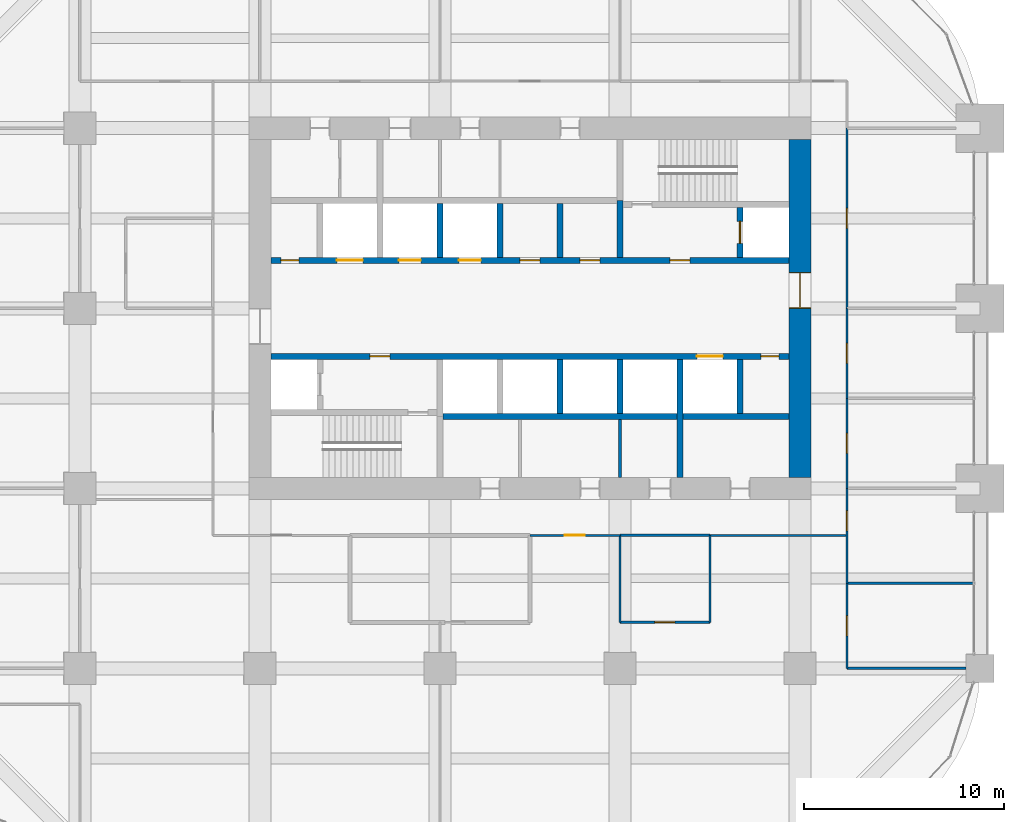
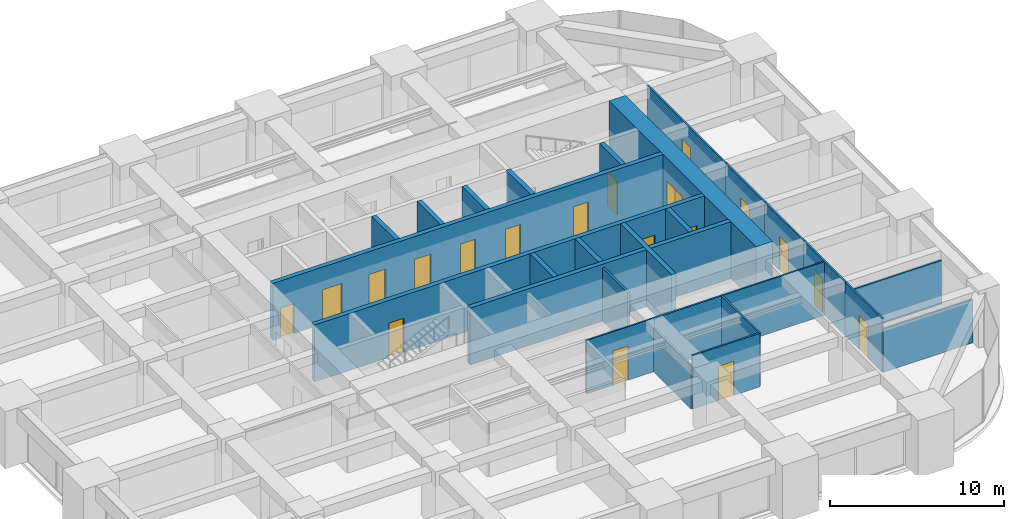
# One storey, part 30 of 32: 27 walls, 19 doors, 19 openings.
"""IFC4 building model written with IfcOpenShell, lengths in metres."""

from ifc_helpers import new_model, si_unit, direction, frame, frame_2d, origin, place, context, subcontext, project, spatial, rectangle, extrude, material, layer, layer_set, type_object, element, fill, save


model = new_model("IFC4")

# Units and contexts
model_context = context("Model", 3, precision=1e-05, world=origin(), true_north=direction((0.0, 1.0)))
body_context = subcontext(model_context, "Body", "Model", "MODEL_VIEW")
ifc_project = project(units=[si_unit("LENGTHUNIT", "METRE"), si_unit("AREAUNIT", "SQUARE_METRE"), si_unit("VOLUMEUNIT", "CUBIC_METRE"), si_unit("PLANEANGLEUNIT", "RADIAN"), si_unit("MASSUNIT", "GRAM", prefix="KILO")], contexts=[model_context])

# Site, building, storey
site_placement = place(None, origin())
site = spatial("IfcSite", under=ifc_project, at=site_placement, CompositionType="ELEMENT")
building_placement = place(site_placement, origin())
building = spatial("IfcBuilding", under=site, at=building_placement, Name="Zorevar Civic Tower", CompositionType="ELEMENT")
storey_placement = place(building_placement, frame((0.0, 0.0, 186.199951171875)))
storey = spatial("IfcBuildingStorey", under=building, at=storey_placement, Name="L45", CompositionType="ELEMENT", Elevation=186.199951171875)

# Wall, opening, door
ifc_material_1 = material(Name="Concrete C50/60", Category="concrete")
ifc_layer_1 = layer(ifc_material_1, 1.10009765625)
ifc_layer_set_1 = layer_set([ifc_layer_1], Name="Core wall 1100")
wall_type_1 = type_object("IfcWallType", Name="Core wall 1100", PredefinedType="SHEAR", material=ifc_layer_set_1)
wall_1_placement = place(storey_placement, frame((45.0, 18.550048828125, 0.0), z_axis=(0.0, 0.0, 1.0), x_axis=(0.0, 1.0, 0.0)))
wall_1 = element("IfcWall", 1, at=wall_1_placement, inside=storey, type_object=wall_type_1, Name="Core wall E L45", PredefinedType="SHEAR", context=body_context, shape_type="SweptSolid", body=[
    extrude(rectangle(XDim=16.89990234375, YDim=1.10009765625, at=frame_2d((8.449951171875, 0.0))), origin(), (0.0, 0.0, 1.0), 4.0),
])
opening_1_placement = place(wall_1_placement, frame((8.449951171875, 0.0, 0.0)))
opening_1 = element("IfcOpeningElement", 2, at=opening_1_placement, cuts=wall_1, Name="Opening L45.02", PredefinedType="OPENING", context=body_context, shape_type="SweptSolid", body=[
    extrude(rectangle(XDim=1.800048828125, YDim=2.39990234375, at=frame_2d((0.89990234375, 1.199951171875))), frame((0.0, 0.56005859375, 0.0), z_axis=(0.0, -1.0, 0.0), x_axis=(1.0, 0.0, 0.0)), (0.0, 0.0, 1.0), 1.1201171875),
])
ifc_material_2 = material(Name="Steel door set", Category="steel")
door_type_1 = type_object("IfcDoorType", Name="Fire door FD2 1800x2400", OperationType="DOUBLE_DOOR_DOUBLE_SWING", PredefinedType="DOOR", material=ifc_material_2)
door_1_placement = place(opening_1_placement, origin())
door_1 = element("IfcDoor", 3, at=door_1_placement, inside=storey, type_object=door_type_1, Name="Door L45 01", OperationType="DOUBLE_DOOR_DOUBLE_SWING", OverallHeight=2.39990234375, OverallWidth=1.800048828125, PredefinedType="DOOR", context=body_context, shape_type="SweptSolid", body=[
    extrude(rectangle(XDim=1.800048828125, YDim=2.39990234375, at=frame_2d((0.89990234375, 1.199951171875))), frame((0.0, 0.030029296875, 0.0), z_axis=(0.0, -1.0, 0.0), x_axis=(1.0, 0.0, 0.0)), (0.0, 0.0, 1.0), 0.06005859375),
    extrude(rectangle(XDim=0.04, YDim=2.39990234375, at=frame_2d((0.02001953125, 1.199951171875))), frame((0.0, 0.5498046875, 0.0), z_axis=(0.0, -1.0, 0.0), x_axis=(1.0, 0.0, 0.0)), (0.0, 0.0, 1.0), 1.099609375),
    extrude(rectangle(XDim=0.04, YDim=2.39990234375, at=frame_2d((1.780029296875, 1.199951171875))), frame((0.0, 0.5498046875, 0.0), z_axis=(0.0, -1.0, 0.0), x_axis=(1.0, 0.0, 0.0)), (0.0, 0.0, 1.0), 1.099609375),
    extrude(rectangle(XDim=1.800048828125, YDim=0.04, at=frame_2d((0.89990234375, 2.3798828125))), frame((0.0, 0.5498046875, 0.0), z_axis=(0.0, -1.0, 0.0), x_axis=(1.0, 0.0, 0.0)), (0.0, 0.0, 1.0), 1.099609375),
])
fill(opening_1, door_1)

ifc_material_3 = material(Name="Laminated glass in black aluminium frame", Category="aluminium")
ifc_layer_2 = layer(ifc_material_3, 0.10009765625)
ifc_layer_set_2 = layer_set([ifc_layer_2], Name="Glazed partition 100")
wall_type_2 = type_object("IfcWallType", Name="Glazed partition 100", PredefinedType="PARTITIONING", material=ifc_layer_set_2)
wall_2_placement = place(storey_placement, frame((31.5, 15.64990234375, 0.0), z_axis=(0.0, 0.0, 1.0), x_axis=(1.0, 0.0, 0.0)))
wall_2 = element("IfcWall", 4, at=wall_2_placement, inside=storey, type_object=wall_type_2, Name="Glazed partition 100 L45", PredefinedType="PARTITIONING", context=body_context, shape_type="SweptSolid", body=[
    extrude(rectangle(XDim=4.5, YDim=0.10009765625, at=frame_2d((2.25, 0.0))), origin(), (0.0, 0.0, 1.0), 3.75),
])
opening_2_placement = place(wall_2_placement, frame((1.75, 0.0, 0.0)))
opening_2 = element("IfcOpeningElement", 5, at=opening_2_placement, cuts=wall_2, Name="Opening L45.21", PredefinedType="OPENING", context=body_context, shape_type="SweptSolid", body=[
    extrude(rectangle(XDim=1.0, YDim=2.39990234375, at=frame_2d((0.5, 1.199951171875))), frame((0.0, 0.06005859375, 0.0), z_axis=(0.0, -1.0, 0.0), x_axis=(1.0, 0.0, 0.0)), (0.0, 0.0, 1.0), 0.1201171875),
])
ifc_material_4 = material(Name="Timber door set", Category="wood")
door_type_2 = type_object("IfcDoorType", Name="Glazed door GD1 1000x2400", OperationType="SINGLE_SWING_LEFT", PredefinedType="DOOR", material=ifc_material_4)
door_2_placement = place(opening_2_placement, origin())
door_2 = element("IfcDoor", 6, at=door_2_placement, inside=storey, type_object=door_type_2, Name="Door L45 D1", OperationType="SINGLE_SWING_RIGHT", OverallHeight=2.39990234375, OverallWidth=1.0, PredefinedType="DOOR", context=body_context, shape_type="SweptSolid", body=[
    extrude(rectangle(XDim=1.0, YDim=2.39990234375, at=frame_2d((0.5, 1.199951171875))), frame((0.0, 0.02001953125, 0.0), z_axis=(0.0, -1.0, 0.0), x_axis=(1.0, 0.0, 0.0)), (0.0, 0.0, 1.0), 0.0400390625),
])
fill(opening_2, door_2)

# Wall
wall_3_placement = place(storey_placement, frame((40.5, 15.64990234375, 0.0), z_axis=(0.0, 0.0, 1.0), x_axis=(1.0, 0.0, 0.0)))
element("IfcWall", 7, at=wall_3_placement, inside=storey, type_object=wall_type_2, Name="Glazed partition 100 L45", PredefinedType="PARTITIONING", context=body_context, shape_type="SweptSolid", body=[
    extrude(rectangle(XDim=6.85009765625, YDim=0.10009765625, at=frame_2d((3.425048828125, 0.0))), origin(), (0.0, 0.0, 1.0), 3.75),
])

# Wall, opening, door
ifc_material_5 = material(Name="Concrete C40/50", Category="concrete")
ifc_layer_3 = layer(ifc_material_5, 0.300048828125)
ifc_layer_set_3 = layer_set([ifc_layer_3], Name="Inner core wall 300")
wall_type_3 = type_object("IfcWallType", Name="Inner core wall 300", PredefinedType="SHEAR", material=ifc_layer_set_3)
wall_4_placement = place(storey_placement, frame((42.0, 29.550048828125, 0.0), z_axis=(0.0, 0.0, 1.0), x_axis=(0.0, 1.0, 0.0)))
wall_4 = element("IfcWall", 8, at=wall_4_placement, inside=storey, type_object=wall_type_3, Name="Inner core wall N02 L45", PredefinedType="SHEAR", context=body_context, shape_type="SweptSolid", body=[
    extrude(rectangle(XDim=2.5, YDim=0.300048828125, at=frame_2d((1.25, 0.0))), origin(), (0.0, 0.0, 1.0), 4.0),
])
opening_3_placement = place(wall_4_placement, frame((0.699951171875, 0.0, 0.0)))
opening_3 = element("IfcOpeningElement", 9, at=opening_3_placement, cuts=wall_4, Name="Opening L45.FL2", PredefinedType="OPENING", context=body_context, shape_type="SweptSolid", body=[
    extrude(rectangle(XDim=1.10009765625, YDim=2.39990234375, at=frame_2d((0.550048828125, 1.199951171875))), frame((0.0, 0.159912109375, 0.0), z_axis=(0.0, -1.0, 0.0), x_axis=(1.0, 0.0, 0.0)), (0.0, 0.0, 1.0), 0.320068359375),
])
ifc_material_6 = material(Name="Steel door set", Category="steel")
door_type_3 = type_object("IfcDoorType", Name="Firefighting lift landing door LD3 1100x2400", OperationType="DOUBLE_DOOR_SLIDING", PredefinedType="DOOR", material=ifc_material_6)
door_3_placement = place(opening_3_placement, origin())
door_3 = element("IfcDoor", 10, at=door_3_placement, inside=storey, type_object=door_type_3, Name="Landing door FL2 L45", OperationType="DOUBLE_DOOR_SLIDING", OverallHeight=2.39990234375, OverallWidth=1.10009765625, PredefinedType="DOOR", context=body_context, shape_type="SweptSolid", body=[
    extrude(rectangle(XDim=1.10009765625, YDim=2.39990234375, at=frame_2d((0.550048828125, 1.199951171875))), frame((0.0, 0.030029296875, 0.0), z_axis=(0.0, -1.0, 0.0), x_axis=(1.0, 0.0, 0.0)), (0.0, 0.0, 1.0), 0.06005859375),
])
fill(opening_3, door_3)

# Wall, openings, doors
wall_5_placement = place(storey_placement, frame((18.550048828125, 24.60009765625, 0.0), z_axis=(0.0, 0.0, 1.0), x_axis=(1.0, 0.0, 0.0)))
wall_5 = element("IfcWall", 11, at=wall_5_placement, inside=storey, type_object=wall_type_3, Name="Inner core wall S03 L45", PredefinedType="SHEAR", context=body_context, shape_type="SweptSolid", body=[
    extrude(rectangle(XDim=25.89990234375, YDim=0.300048828125, at=frame_2d((12.949951171875, 0.0))), origin(), (0.0, 0.0, 1.0), 4.0),
])
opening_4_placement = place(wall_5_placement, frame((4.949951171875, 0.0, 0.0)))
opening_4 = element("IfcOpeningElement", 12, at=opening_4_placement, cuts=wall_5, Name="Opening L45.13", PredefinedType="OPENING", context=body_context, shape_type="SweptSolid", body=[
    extrude(rectangle(XDim=1.0, YDim=2.39990234375, at=frame_2d((0.5, 1.199951171875))), frame((0.0, 0.159912109375, 0.0), z_axis=(0.0, -1.0, 0.0), x_axis=(1.0, 0.0, 0.0)), (0.0, 0.0, 1.0), 0.320068359375),
])
opening_5_placement = place(wall_5_placement, frame((24.5, 0.0, 0.0)))
opening_5 = element("IfcOpeningElement", 13, at=opening_5_placement, cuts=wall_5, Name="Opening L45.15", PredefinedType="OPENING", context=body_context, shape_type="SweptSolid", body=[
    extrude(rectangle(XDim=0.89990234375, YDim=2.10009765625, at=frame_2d((0.449951171875, 1.050048828125))), frame((0.0, 0.159912109375, 0.0), z_axis=(0.0, -1.0, 0.0), x_axis=(1.0, 0.0, 0.0)), (0.0, 0.0, 1.0), 0.320068359375),
])
opening_6_placement = place(wall_5_placement, frame((21.300048828125, 0.0, 0.0)))
opening_6 = element("IfcOpeningElement", 14, at=opening_6_placement, cuts=wall_5, Name="Opening L45.SL1", PredefinedType="OPENING", context=body_context, shape_type="SweptSolid", body=[
    extrude(rectangle(XDim=1.300048828125, YDim=2.39990234375, at=frame_2d((0.64990234375, 1.199951171875))), frame((0.0, 0.159912109375, 0.0), z_axis=(0.0, -1.0, 0.0), x_axis=(1.0, 0.0, 0.0)), (0.0, 0.0, 1.0), 0.320068359375),
])
ifc_material_7 = material(Name="Steel door set", Category="steel")
door_type_4 = type_object("IfcDoorType", Name="Fire door FD1 1000x2400", OperationType="SINGLE_SWING_LEFT", PredefinedType="DOOR", material=ifc_material_7)
door_4_placement = place(opening_4_placement, origin())
door_4 = element("IfcDoor", 15, at=door_4_placement, inside=storey, type_object=door_type_4, Name="Door L45 12", OperationType="SINGLE_SWING_RIGHT", OverallHeight=2.39990234375, OverallWidth=1.0, PredefinedType="DOOR", context=body_context, shape_type="SweptSolid", body=[
    extrude(rectangle(XDim=1.0, YDim=2.39990234375, at=frame_2d((0.5, 1.199951171875))), frame((0.0, 0.030029296875, 0.0), z_axis=(0.0, -1.0, 0.0), x_axis=(1.0, 0.0, 0.0)), (0.0, 0.0, 1.0), 0.06005859375),
])
fill(opening_4, door_4)
ifc_material_8 = material(Name="Steel door set", Category="steel")
door_type_5 = type_object("IfcDoorType", Name="Landing door LD2 1300x2400", OperationType="DOUBLE_DOOR_SLIDING", PredefinedType="DOOR", material=ifc_material_8)
door_5_placement = place(opening_6_placement, origin())
door_5 = element("IfcDoor", 16, at=door_5_placement, inside=storey, type_object=door_type_5, Name="Landing door SL1 L45", OperationType="DOUBLE_DOOR_SLIDING", OverallHeight=2.39990234375, OverallWidth=1.300048828125, PredefinedType="DOOR", context=body_context, shape_type="SweptSolid", body=[
    extrude(rectangle(XDim=1.300048828125, YDim=2.39990234375, at=frame_2d((0.64990234375, 1.199951171875))), frame((0.0, 0.02001953125, 0.0), z_axis=(0.0, -1.0, 0.0), x_axis=(1.0, 0.0, 0.0)), (0.0, 0.0, 1.0), 0.0400390625),
])
fill(opening_6, door_5)
ifc_material_9 = material(Name="Steel door set", Category="steel")
door_type_6 = type_object("IfcDoorType", Name="Riser door RD1 900x2100", OperationType="SINGLE_SWING_LEFT", PredefinedType="DOOR", material=ifc_material_9)
door_6_placement = place(opening_5_placement, origin())
door_6 = element("IfcDoor", 17, at=door_6_placement, inside=storey, type_object=door_type_6, Name="Door L45 14", OperationType="SINGLE_SWING_RIGHT", OverallHeight=2.10009765625, OverallWidth=0.89990234375, PredefinedType="DOOR", context=body_context, shape_type="SweptSolid", body=[
    extrude(rectangle(XDim=0.89990234375, YDim=2.10009765625, at=frame_2d((0.449951171875, 1.050048828125))), frame((0.0, 0.030029296875, 0.0), z_axis=(0.0, -1.0, 0.0), x_axis=(1.0, 0.0, 0.0)), (0.0, 0.0, 1.0), 0.06005859375),
])
fill(opening_5, door_6)

wall_6_placement = place(storey_placement, frame((18.550048828125, 29.39990234375, 0.0), z_axis=(0.0, 0.0, 1.0), x_axis=(1.0, 0.0, 0.0)))
wall_6 = element("IfcWall", 18, at=wall_6_placement, inside=storey, type_object=wall_type_3, Name="Inner core wall N03 L45", PredefinedType="SHEAR", context=body_context, shape_type="SweptSolid", body=[
    extrude(rectangle(XDim=25.89990234375, YDim=0.300048828125, at=frame_2d((12.949951171875, 0.0))), origin(), (0.0, 0.0, 1.0), 4.0),
])
opening_7_placement = place(wall_6_placement, frame((19.949951171875, 0.0, 0.0)))
opening_7 = element("IfcOpeningElement", 19, at=opening_7_placement, cuts=wall_6, Name="Opening L45.14", PredefinedType="OPENING", context=body_context, shape_type="SweptSolid", body=[
    extrude(rectangle(XDim=1.0, YDim=2.39990234375, at=frame_2d((0.5, 1.199951171875))), frame((0.0, 0.159912109375, 0.0), z_axis=(0.0, -1.0, 0.0), x_axis=(1.0, 0.0, 0.0)), (0.0, 0.0, 1.0), 0.320068359375),
])
opening_8_placement = place(wall_6_placement, frame((0.5, 0.0, 0.0)))
opening_8 = element("IfcOpeningElement", 20, at=opening_8_placement, cuts=wall_6, Name="Opening L45.16", PredefinedType="OPENING", context=body_context, shape_type="SweptSolid", body=[
    extrude(rectangle(XDim=0.89990234375, YDim=2.10009765625, at=frame_2d((0.449951171875, 1.050048828125))), frame((0.0, 0.159912109375, 0.0), z_axis=(0.0, -1.0, 0.0), x_axis=(1.0, 0.0, 0.0)), (0.0, 0.0, 1.0), 0.320068359375),
])
opening_9_placement = place(wall_6_placement, frame((15.449951171875, 0.0, 0.0)))
opening_9 = element("IfcOpeningElement", 21, at=opening_9_placement, cuts=wall_6, Name="Opening L45.37", PredefinedType="OPENING", context=body_context, shape_type="SweptSolid", body=[
    extrude(rectangle(XDim=1.0, YDim=2.39990234375, at=frame_2d((0.5, 1.199951171875))), frame((0.0, 0.159912109375, 0.0), z_axis=(0.0, -1.0, 0.0), x_axis=(1.0, 0.0, 0.0)), (0.0, 0.0, 1.0), 0.320068359375),
])
opening_10_placement = place(wall_6_placement, frame((12.449951171875, 0.0, 0.0)))
opening_10 = element("IfcOpeningElement", 22, at=opening_10_placement, cuts=wall_6, Name="Opening L45.38", PredefinedType="OPENING", context=body_context, shape_type="SweptSolid", body=[
    extrude(rectangle(XDim=1.0, YDim=2.39990234375, at=frame_2d((0.5, 1.199951171875))), frame((0.0, 0.159912109375, 0.0), z_axis=(0.0, -1.0, 0.0), x_axis=(1.0, 0.0, 0.0)), (0.0, 0.0, 1.0), 0.320068359375),
])
opening_11_placement = place(wall_6_placement, frame((9.39990234375, 0.0, 0.0)))
opening_11 = element("IfcOpeningElement", 23, at=opening_11_placement, cuts=wall_6, Name="Opening L45.LH1", PredefinedType="OPENING", context=body_context, shape_type="SweptSolid", body=[
    extrude(rectangle(XDim=1.10009765625, YDim=2.39990234375, at=frame_2d((0.550048828125, 1.199951171875))), frame((0.0, 0.159912109375, 0.0), z_axis=(0.0, -1.0, 0.0), x_axis=(1.0, 0.0, 0.0)), (0.0, 0.0, 1.0), 0.320068359375),
])
opening_12_placement = place(wall_6_placement, frame((6.39990234375, 0.0, 0.0)))
opening_12 = element("IfcOpeningElement", 24, at=opening_12_placement, cuts=wall_6, Name="Opening L45.LH2", PredefinedType="OPENING", context=body_context, shape_type="SweptSolid", body=[
    extrude(rectangle(XDim=1.10009765625, YDim=2.39990234375, at=frame_2d((0.550048828125, 1.199951171875))), frame((0.0, 0.159912109375, 0.0), z_axis=(0.0, -1.0, 0.0), x_axis=(1.0, 0.0, 0.0)), (0.0, 0.0, 1.0), 0.320068359375),
])
opening_13_placement = place(wall_6_placement, frame((3.300048828125, 0.0, 0.0)))
opening_13 = element("IfcOpeningElement", 25, at=opening_13_placement, cuts=wall_6, Name="Opening L45.SL2", PredefinedType="OPENING", context=body_context, shape_type="SweptSolid", body=[
    extrude(rectangle(XDim=1.300048828125, YDim=2.39990234375, at=frame_2d((0.64990234375, 1.199951171875))), frame((0.0, 0.159912109375, 0.0), z_axis=(0.0, -1.0, 0.0), x_axis=(1.0, 0.0, 0.0)), (0.0, 0.0, 1.0), 0.320068359375),
])
door_7_placement = place(opening_7_placement, origin())
door_7 = element("IfcDoor", 26, at=door_7_placement, inside=storey, type_object=door_type_4, Name="Door L45 13", OperationType="SINGLE_SWING_RIGHT", OverallHeight=2.39990234375, OverallWidth=1.0, PredefinedType="DOOR", context=body_context, shape_type="SweptSolid", body=[
    extrude(rectangle(XDim=1.0, YDim=2.39990234375, at=frame_2d((0.5, 1.199951171875))), frame((0.0, 0.030029296875, 0.0), z_axis=(0.0, -1.0, 0.0), x_axis=(1.0, 0.0, 0.0)), (0.0, 0.0, 1.0), 0.06005859375),
])
fill(opening_7, door_7)
door_8_placement = place(opening_9_placement, origin())
door_8 = element("IfcDoor", 27, at=door_8_placement, inside=storey, type_object=door_type_4, Name="Door L45 LM1 shaft room", OperationType="SINGLE_SWING_LEFT", OverallHeight=2.39990234375, OverallWidth=1.0, PredefinedType="DOOR", context=body_context, shape_type="SweptSolid", body=[
    extrude(rectangle(XDim=1.0, YDim=2.39990234375, at=frame_2d((0.5, 1.199951171875))), frame((0.0, 0.030029296875, 0.0), z_axis=(0.0, -1.0, 0.0), x_axis=(1.0, 0.0, 0.0)), (0.0, 0.0, 1.0), 0.06005859375),
])
fill(opening_9, door_8)
door_9_placement = place(opening_10_placement, origin())
door_9 = element("IfcDoor", 28, at=door_9_placement, inside=storey, type_object=door_type_4, Name="Door L45 LM2 shaft room", OperationType="SINGLE_SWING_RIGHT", OverallHeight=2.39990234375, OverallWidth=1.0, PredefinedType="DOOR", context=body_context, shape_type="SweptSolid", body=[
    extrude(rectangle(XDim=1.0, YDim=2.39990234375, at=frame_2d((0.5, 1.199951171875))), frame((0.0, 0.030029296875, 0.0), z_axis=(0.0, -1.0, 0.0), x_axis=(1.0, 0.0, 0.0)), (0.0, 0.0, 1.0), 0.06005859375),
])
fill(opening_10, door_9)
ifc_material_10 = material(Name="Steel door set", Category="steel")
door_type_7 = type_object("IfcDoorType", Name="Landing door LD1 1100x2400", OperationType="DOUBLE_DOOR_SLIDING", PredefinedType="DOOR", material=ifc_material_10)
door_10_placement = place(opening_11_placement, origin())
door_10 = element("IfcDoor", 29, at=door_10_placement, inside=storey, type_object=door_type_7, Name="Landing door LH1 L45", OperationType="DOUBLE_DOOR_SLIDING", OverallHeight=2.39990234375, OverallWidth=1.10009765625, PredefinedType="DOOR", context=body_context, shape_type="SweptSolid", body=[
    extrude(rectangle(XDim=1.10009765625, YDim=2.39990234375, at=frame_2d((0.550048828125, 1.199951171875))), frame((0.0, 0.02001953125, 0.0), z_axis=(0.0, -1.0, 0.0), x_axis=(1.0, 0.0, 0.0)), (0.0, 0.0, 1.0), 0.0400390625),
])
fill(opening_11, door_10)
door_11_placement = place(opening_12_placement, origin())
door_11 = element("IfcDoor", 30, at=door_11_placement, inside=storey, type_object=door_type_7, Name="Landing door LH2 L45", OperationType="DOUBLE_DOOR_SLIDING", OverallHeight=2.39990234375, OverallWidth=1.10009765625, PredefinedType="DOOR", context=body_context, shape_type="SweptSolid", body=[
    extrude(rectangle(XDim=1.10009765625, YDim=2.39990234375, at=frame_2d((0.550048828125, 1.199951171875))), frame((0.0, 0.02001953125, 0.0), z_axis=(0.0, -1.0, 0.0), x_axis=(1.0, 0.0, 0.0)), (0.0, 0.0, 1.0), 0.0400390625),
])
fill(opening_12, door_11)
door_12_placement = place(opening_13_placement, origin())
door_12 = element("IfcDoor", 31, at=door_12_placement, inside=storey, type_object=door_type_5, Name="Landing door SL2 L45", OperationType="DOUBLE_DOOR_SLIDING", OverallHeight=2.39990234375, OverallWidth=1.300048828125, PredefinedType="DOOR", context=body_context, shape_type="SweptSolid", body=[
    extrude(rectangle(XDim=1.300048828125, YDim=2.39990234375, at=frame_2d((0.64990234375, 1.199951171875))), frame((0.0, 0.02001953125, 0.0), z_axis=(0.0, -1.0, 0.0), x_axis=(1.0, 0.0, 0.0)), (0.0, 0.0, 1.0), 0.0400390625),
])
fill(opening_13, door_12)
door_13_placement = place(opening_8_placement, origin())
door_13 = element("IfcDoor", 32, at=door_13_placement, inside=storey, type_object=door_type_6, Name="Door L45 15", OperationType="SINGLE_SWING_RIGHT", OverallHeight=2.10009765625, OverallWidth=0.89990234375, PredefinedType="DOOR", context=body_context, shape_type="SweptSolid", body=[
    extrude(rectangle(XDim=0.89990234375, YDim=2.10009765625, at=frame_2d((0.449951171875, 1.050048828125))), frame((0.0, 0.030029296875, 0.0), z_axis=(0.0, -1.0, 0.0), x_axis=(1.0, 0.0, 0.0)), (0.0, 0.0, 1.0), 0.06005859375),
])
fill(opening_8, door_13)

# Walls
wall_7_placement = place(storey_placement, frame((27.14990234375, 21.60009765625, 0.0), z_axis=(0.0, 0.0, 1.0), x_axis=(1.0, 0.0, 0.0)))
element("IfcWall", 33, at=wall_7_placement, inside=storey, type_object=wall_type_3, Name="Inner core wall S04 L45", PredefinedType="SHEAR", context=body_context, shape_type="SweptSolid", body=[
    extrude(rectangle(XDim=17.300048828125, YDim=0.300048828125, at=frame_2d((8.64990234375, 0.0))), origin(), (0.0, 0.0, 1.0), 4.0),
])
for number, where, z_axis, x_axis, name in (
    (34, (33.0, 29.550048828125, 0.0), (0.0, 0.0, 1.0), (0.0, 1.0, 0.0), "Inner core wall N05 L45"),
    (35, (33.0, 21.75, 0.0), (0.0, 0.0, 1.0), (0.0, 1.0, 0.0), "Inner core wall S06 L45"),
    (36, (30.0, 29.550048828125, 0.0), (0.0, 0.0, 1.0), (0.0, 1.0, 0.0), "Inner core wall N06 L45"),
    (37, (36.0, 21.75, 0.0), (0.0, 0.0, 1.0), (0.0, 1.0, 0.0), "Inner core wall S07 L45"),
    (38, (27.0, 29.550048828125, 0.0), (0.0, 0.0, 1.0), (0.0, 1.0, 0.0), "Inner core wall N07 L45"),
):
    element("IfcWall", number, at=place(storey_placement, frame(where, z_axis=z_axis, x_axis=x_axis)), inside=storey, type_object=wall_type_3, Name=name, PredefinedType="SHEAR", context=body_context, shape_type="SweptSolid", body=[
        extrude(rectangle(XDim=2.699951171875, YDim=0.300048828125, at=frame_2d((1.35009765625, 0.0))), origin(), (0.0, 0.0, 1.0), 4.0),
    ])
wall_8_placement = place(storey_placement, frame((39.0, 18.550048828125, 0.0), z_axis=(0.0, 0.0, 1.0), x_axis=(0.0, 1.0, 0.0)))
element("IfcWall", 39, at=wall_8_placement, inside=storey, type_object=wall_type_3, Name="Inner core wall S08 L45", PredefinedType="SHEAR", context=body_context, shape_type="SweptSolid", body=[
    extrude(rectangle(XDim=5.89990234375, YDim=0.300048828125, at=frame_2d((2.949951171875, 0.0))), origin(), (0.0, 0.0, 1.0), 4.0),
])
wall_9_placement = place(storey_placement, frame((42.0, 21.75, 0.0), z_axis=(0.0, 0.0, 1.0), x_axis=(0.0, 1.0, 0.0)))
element("IfcWall", 40, at=wall_9_placement, inside=storey, type_object=wall_type_3, Name="Inner core wall S09 L45", PredefinedType="SHEAR", context=body_context, shape_type="SweptSolid", body=[
    extrude(rectangle(XDim=2.699951171875, YDim=0.300048828125, at=frame_2d((1.35009765625, 0.0))), origin(), (0.0, 0.0, 1.0), 4.0),
])
wall_10_placement = place(storey_placement, frame((36.0, 29.550048828125, 0.0), z_axis=(0.0, 0.0, 1.0), x_axis=(0.0, 1.0, 0.0)))
element("IfcWall", 41, at=wall_10_placement, inside=storey, type_object=wall_type_3, Name="Inner core wall N10 L45", PredefinedType="SHEAR", context=body_context, shape_type="SweptSolid", body=[
    extrude(rectangle(XDim=2.849853515625, YDim=0.300048828125, at=frame_2d((1.4248046875, 0.0))), origin(), (0.0, 0.0, 1.0), 4.0),
])
ifc_material_11 = material(Name="Gypsum board on steel studs", Category="steel")
ifc_layer_4 = layer(ifc_material_11, 0.1201171875)
ifc_layer_set_4 = layer_set([ifc_layer_4], Name="Partition 120")
wall_type_4 = type_object("IfcWallType", Name="Partition 120", PredefinedType="PARTITIONING", material=ifc_layer_set_4)
wall_11_placement = place(storey_placement, frame((47.35009765625, 9.0, 0.0), z_axis=(0.0, 0.0, 1.0), x_axis=(1.0, 0.0, 0.0)))
element("IfcWall", 42, at=wall_11_placement, inside=storey, type_object=wall_type_4, Name="Partition 120 L45", PredefinedType="PARTITIONING", context=body_context, shape_type="SweptSolid", body=[
    extrude(rectangle(XDim=5.949951171875, YDim=0.1201171875, at=frame_2d((2.97509765625, 0.0))), origin(), (0.0, 0.0, 1.0), 3.050048828125),
])

# Wall, opening, door
wall_12_placement = place(storey_placement, frame((36.0, 11.300048828125, 0.0), z_axis=(0.0, 0.0, 1.0), x_axis=(1.0, 0.0, 0.0)))
wall_12 = element("IfcWall", 43, at=wall_12_placement, inside=storey, type_object=wall_type_4, Name="Partition 120 L45", PredefinedType="PARTITIONING", context=body_context, shape_type="SweptSolid", body=[
    extrude(rectangle(XDim=4.5, YDim=0.1201171875, at=frame_2d((2.25, 0.0))), origin(), (0.0, 0.0, 1.0), 3.75),
])
opening_14_placement = place(wall_12_placement, frame((1.75, 0.0, 0.0)))
opening_14 = element("IfcOpeningElement", 44, at=opening_14_placement, cuts=wall_12, Name="Opening L45.19", PredefinedType="OPENING", context=body_context, shape_type="SweptSolid", body=[
    extrude(rectangle(XDim=1.0, YDim=2.39990234375, at=frame_2d((0.5, 1.199951171875))), frame((0.0, 0.070068359375, 0.0), z_axis=(0.0, -1.0, 0.0), x_axis=(1.0, 0.0, 0.0)), (0.0, 0.0, 1.0), 0.14013671875),
])
ifc_material_12 = material(Name="Timber door set", Category="wood")
door_type_8 = type_object("IfcDoorType", Name="Door D1 1000x2400", OperationType="SINGLE_SWING_LEFT", PredefinedType="DOOR", material=ifc_material_12)
door_14_placement = place(opening_14_placement, origin())
door_14 = element("IfcDoor", 45, at=door_14_placement, inside=storey, type_object=door_type_8, Name="Door L45 D1", OperationType="SINGLE_SWING_RIGHT", OverallHeight=2.39990234375, OverallWidth=1.0, PredefinedType="DOOR", context=body_context, shape_type="SweptSolid", body=[
    extrude(rectangle(XDim=1.0, YDim=2.39990234375, at=frame_2d((0.5, 1.199951171875))), frame((0.0, 0.02490234375, 0.0), z_axis=(0.0, -1.0, 0.0), x_axis=(1.0, 0.0, 0.0)), (0.0, 0.0, 1.0), 0.050048828125),
])
fill(opening_14, door_14)

# Walls
wall_13_placement = place(storey_placement, frame((47.35009765625, 13.25, 0.0), z_axis=(0.0, 0.0, 1.0), x_axis=(1.0, 0.0, 0.0)))
element("IfcWall", 46, at=wall_13_placement, inside=storey, type_object=wall_type_4, Name="Partition 120 L45", PredefinedType="PARTITIONING", context=body_context, shape_type="SweptSolid", body=[
    extrude(rectangle(XDim=6.33984375, YDim=0.1201171875, at=frame_2d((3.169921875, 0.0))), origin(), (0.0, 0.0, 1.0), 3.10009765625),
])
wall_14_placement = place(storey_placement, frame((36.0, 15.64990234375, 0.0), z_axis=(0.0, 0.0, 1.0), x_axis=(1.0, 0.0, 0.0)))
element("IfcWall", 47, at=wall_14_placement, inside=storey, type_object=wall_type_4, Name="Partition 120 L45", PredefinedType="PARTITIONING", context=body_context, shape_type="SweptSolid", body=[
    extrude(rectangle(XDim=4.5, YDim=0.1201171875, at=frame_2d((2.25, 0.0))), origin(), (0.0, 0.0, 1.0), 3.75),
])
wall_15_placement = place(storey_placement, frame((36.0, 11.300048828125, 0.0), z_axis=(0.0, 0.0, 1.0), x_axis=(0.0, 1.0, 0.0)))
element("IfcWall", 48, at=wall_15_placement, inside=storey, type_object=wall_type_4, Name="Partition 120 L45", PredefinedType="PARTITIONING", context=body_context, shape_type="SweptSolid", body=[
    extrude(rectangle(XDim=4.349853515625, YDim=0.1201171875, at=frame_2d((2.1748046875, 0.0))), origin(), (0.0, 0.0, 1.0), 3.050048828125),
])
wall_16_placement = place(storey_placement, frame((40.5, 11.300048828125, 0.0), z_axis=(0.0, 0.0, 1.0), x_axis=(0.0, 1.0, 0.0)))
element("IfcWall", 49, at=wall_16_placement, inside=storey, type_object=wall_type_4, Name="Partition 120 L45", PredefinedType="PARTITIONING", context=body_context, shape_type="SweptSolid", body=[
    extrude(rectangle(XDim=4.349853515625, YDim=0.1201171875, at=frame_2d((2.1748046875, 0.0))), origin(), (0.0, 0.0, 1.0), 3.75),
])

# Wall, opening, door
wall_17_placement = place(storey_placement, frame((47.35009765625, 9.0, 0.0), z_axis=(0.0, 0.0, 1.0), x_axis=(0.0, 1.0, 0.0)))
wall_17 = element("IfcWall", 50, at=wall_17_placement, inside=storey, type_object=wall_type_4, Name="Partition 120 L45", PredefinedType="PARTITIONING", context=body_context, shape_type="SweptSolid", body=[
    extrude(rectangle(XDim=4.25, YDim=0.1201171875, at=frame_2d((2.125, 0.0))), origin(), (0.0, 0.0, 1.0), 3.75),
])
opening_15_placement = place(wall_17_placement, frame((1.625, 0.0, 0.0)))
opening_15 = element("IfcOpeningElement", 51, at=opening_15_placement, cuts=wall_17, Name="Opening L45.31", PredefinedType="OPENING", context=body_context, shape_type="SweptSolid", body=[
    extrude(rectangle(XDim=1.0, YDim=2.39990234375, at=frame_2d((0.5, 1.199951171875))), frame((0.0, 0.070068359375, 0.0), z_axis=(0.0, -1.0, 0.0), x_axis=(1.0, 0.0, 0.0)), (0.0, 0.0, 1.0), 0.14013671875),
])
door_15_placement = place(opening_15_placement, origin())
door_15 = element("IfcDoor", 52, at=door_15_placement, inside=storey, type_object=door_type_8, Name="Door L45 D1", OperationType="SINGLE_SWING_LEFT", OverallHeight=2.39990234375, OverallWidth=1.0, PredefinedType="DOOR", context=body_context, shape_type="SweptSolid", body=[
    extrude(rectangle(XDim=1.0, YDim=2.39990234375, at=frame_2d((0.5, 1.199951171875))), frame((0.0, 0.02490234375, 0.0), z_axis=(0.0, -1.0, 0.0), x_axis=(1.0, 0.0, 0.0)), (0.0, 0.0, 1.0), 0.050048828125),
])
fill(opening_15, door_15)

wall_18_placement = place(storey_placement, frame((47.35009765625, 13.25, 0.0), z_axis=(0.0, 0.0, 1.0), x_axis=(0.0, 1.0, 0.0)))
wall_18 = element("IfcWall", 53, at=wall_18_placement, inside=storey, type_object=wall_type_4, Name="Partition 120 L45", PredefinedType="PARTITIONING", context=body_context, shape_type="SweptSolid", body=[
    extrude(rectangle(XDim=4.75, YDim=0.1201171875, at=frame_2d((2.375, 0.0))), origin(), (0.0, 0.0, 1.0), 3.75),
])
opening_16_placement = place(wall_18_placement, frame((2.625, 0.0, 0.0)))
opening_16 = element("IfcOpeningElement", 54, at=opening_16_placement, cuts=wall_18, Name="Opening L45.32", PredefinedType="OPENING", context=body_context, shape_type="SweptSolid", body=[
    extrude(rectangle(XDim=1.0, YDim=2.39990234375, at=frame_2d((0.5, 1.199951171875))), frame((0.0, 0.070068359375, 0.0), z_axis=(0.0, -1.0, 0.0), x_axis=(1.0, 0.0, 0.0)), (0.0, 0.0, 1.0), 0.14013671875),
])
door_16_placement = place(opening_16_placement, origin())
door_16 = element("IfcDoor", 55, at=door_16_placement, inside=storey, type_object=door_type_8, Name="Door L45 D1", OperationType="SINGLE_SWING_RIGHT", OverallHeight=2.39990234375, OverallWidth=1.0, PredefinedType="DOOR", context=body_context, shape_type="SweptSolid", body=[
    extrude(rectangle(XDim=1.0, YDim=2.39990234375, at=frame_2d((0.5, 1.199951171875))), frame((0.0, 0.02490234375, 0.0), z_axis=(0.0, -1.0, 0.0), x_axis=(1.0, 0.0, 0.0)), (0.0, 0.0, 1.0), 0.050048828125),
])
fill(opening_16, door_16)

wall_19_placement = place(storey_placement, frame((47.35009765625, 18.0, 0.0), z_axis=(0.0, 0.0, 1.0), x_axis=(0.0, 1.0, 0.0)))
wall_19 = element("IfcWall", 56, at=wall_19_placement, inside=storey, type_object=wall_type_4, Name="Partition 120 L45", PredefinedType="PARTITIONING", context=body_context, shape_type="SweptSolid", body=[
    extrude(rectangle(XDim=4.5, YDim=0.1201171875, at=frame_2d((2.25, 0.0))), origin(), (0.0, 0.0, 1.0), 3.75),
])
opening_17_placement = place(wall_19_placement, frame((1.75, 0.0, 0.0)))
opening_17 = element("IfcOpeningElement", 57, at=opening_17_placement, cuts=wall_19, Name="Opening L45.33", PredefinedType="OPENING", context=body_context, shape_type="SweptSolid", body=[
    extrude(rectangle(XDim=1.0, YDim=2.39990234375, at=frame_2d((0.5, 1.199951171875))), frame((0.0, 0.070068359375, 0.0), z_axis=(0.0, -1.0, 0.0), x_axis=(1.0, 0.0, 0.0)), (0.0, 0.0, 1.0), 0.14013671875),
])
door_17_placement = place(opening_17_placement, origin())
door_17 = element("IfcDoor", 58, at=door_17_placement, inside=storey, type_object=door_type_8, Name="Door L45 D1", OperationType="SINGLE_SWING_RIGHT", OverallHeight=2.39990234375, OverallWidth=1.0, PredefinedType="DOOR", context=body_context, shape_type="SweptSolid", body=[
    extrude(rectangle(XDim=1.0, YDim=2.39990234375, at=frame_2d((0.5, 1.199951171875))), frame((0.0, 0.02490234375, 0.0), z_axis=(0.0, -1.0, 0.0), x_axis=(1.0, 0.0, 0.0)), (0.0, 0.0, 1.0), 0.050048828125),
])
fill(opening_17, door_17)

wall_20_placement = place(storey_placement, frame((47.35009765625, 22.5, 0.0), z_axis=(0.0, 0.0, 1.0), x_axis=(0.0, 1.0, 0.0)))
wall_20 = element("IfcWall", 59, at=wall_20_placement, inside=storey, type_object=wall_type_4, Name="Partition 120 L45", PredefinedType="PARTITIONING", context=body_context, shape_type="SweptSolid", body=[
    extrude(rectangle(XDim=4.5, YDim=0.1201171875, at=frame_2d((2.25, 0.0))), origin(), (0.0, 0.0, 1.0), 3.75),
])
opening_18_placement = place(wall_20_placement, frame((1.75, 0.0, 0.0)))
opening_18 = element("IfcOpeningElement", 60, at=opening_18_placement, cuts=wall_20, Name="Opening L45.34", PredefinedType="OPENING", context=body_context, shape_type="SweptSolid", body=[
    extrude(rectangle(XDim=1.0, YDim=2.39990234375, at=frame_2d((0.5, 1.199951171875))), frame((0.0, 0.070068359375, 0.0), z_axis=(0.0, -1.0, 0.0), x_axis=(1.0, 0.0, 0.0)), (0.0, 0.0, 1.0), 0.14013671875),
])
door_18_placement = place(opening_18_placement, origin())
door_18 = element("IfcDoor", 61, at=door_18_placement, inside=storey, type_object=door_type_8, Name="Door L45 D1", OperationType="SINGLE_SWING_LEFT", OverallHeight=2.39990234375, OverallWidth=1.0, PredefinedType="DOOR", context=body_context, shape_type="SweptSolid", body=[
    extrude(rectangle(XDim=1.0, YDim=2.39990234375, at=frame_2d((0.5, 1.199951171875))), frame((0.0, 0.02490234375, 0.0), z_axis=(0.0, -1.0, 0.0), x_axis=(1.0, 0.0, 0.0)), (0.0, 0.0, 1.0), 0.050048828125),
])
fill(opening_18, door_18)

wall_21_placement = place(storey_placement, frame((47.35009765625, 27.0, 0.0), z_axis=(0.0, 0.0, 1.0), x_axis=(0.0, 1.0, 0.0)))
wall_21 = element("IfcWall", 62, at=wall_21_placement, inside=storey, type_object=wall_type_4, Name="Partition 120 L45", PredefinedType="PARTITIONING", context=body_context, shape_type="SweptSolid", body=[
    extrude(rectangle(XDim=9.0, YDim=0.1201171875, at=frame_2d((4.5, 0.0))), origin(), (0.0, 0.0, 1.0), 3.75),
])
opening_19_placement = place(wall_21_placement, frame((4.0, 0.0, 0.0)))
opening_19 = element("IfcOpeningElement", 63, at=opening_19_placement, cuts=wall_21, Name="Opening L45.35", PredefinedType="OPENING", context=body_context, shape_type="SweptSolid", body=[
    extrude(rectangle(XDim=1.0, YDim=2.39990234375, at=frame_2d((0.5, 1.199951171875))), frame((0.0, 0.070068359375, 0.0), z_axis=(0.0, -1.0, 0.0), x_axis=(1.0, 0.0, 0.0)), (0.0, 0.0, 1.0), 0.14013671875),
])
door_19_placement = place(opening_19_placement, origin())
door_19 = element("IfcDoor", 64, at=door_19_placement, inside=storey, type_object=door_type_8, Name="Door L45 D1", OperationType="SINGLE_SWING_RIGHT", OverallHeight=2.39990234375, OverallWidth=1.0, PredefinedType="DOOR", context=body_context, shape_type="SweptSolid", body=[
    extrude(rectangle(XDim=1.0, YDim=2.39990234375, at=frame_2d((0.5, 1.199951171875))), frame((0.0, 0.02490234375, 0.0), z_axis=(0.0, -1.0, 0.0), x_axis=(1.0, 0.0, 0.0)), (0.0, 0.0, 1.0), 0.050048828125),
])
fill(opening_19, door_19)

# Wall
ifc_material_13 = material(Name="Gypsum board on steel studs, moisture resistant", Category="steel")
ifc_layer_5 = layer(ifc_material_13, 0.14990234375)
ifc_layer_set_5 = layer_set([ifc_layer_5], Name="WC partition 150")
wall_type_5 = type_object("IfcWallType", Name="WC partition 150", PredefinedType="PARTITIONING", material=ifc_layer_set_5)
wall_22_placement = place(storey_placement, frame((36.0, 18.550048828125, 0.0), z_axis=(0.0, 0.0, 1.0), x_axis=(0.0, 1.0, 0.0)))
element("IfcWall", 65, at=wall_22_placement, inside=storey, type_object=wall_type_5, Name="WC partition L45", PredefinedType="PARTITIONING", context=body_context, shape_type="SweptSolid", body=[
    extrude(rectangle(XDim=2.89990234375, YDim=0.14990234375, at=frame_2d((1.449951171875, 0.0))), origin(), (0.0, 0.0, 1.0), 3.75),
])

save(model, "model.ifc")
